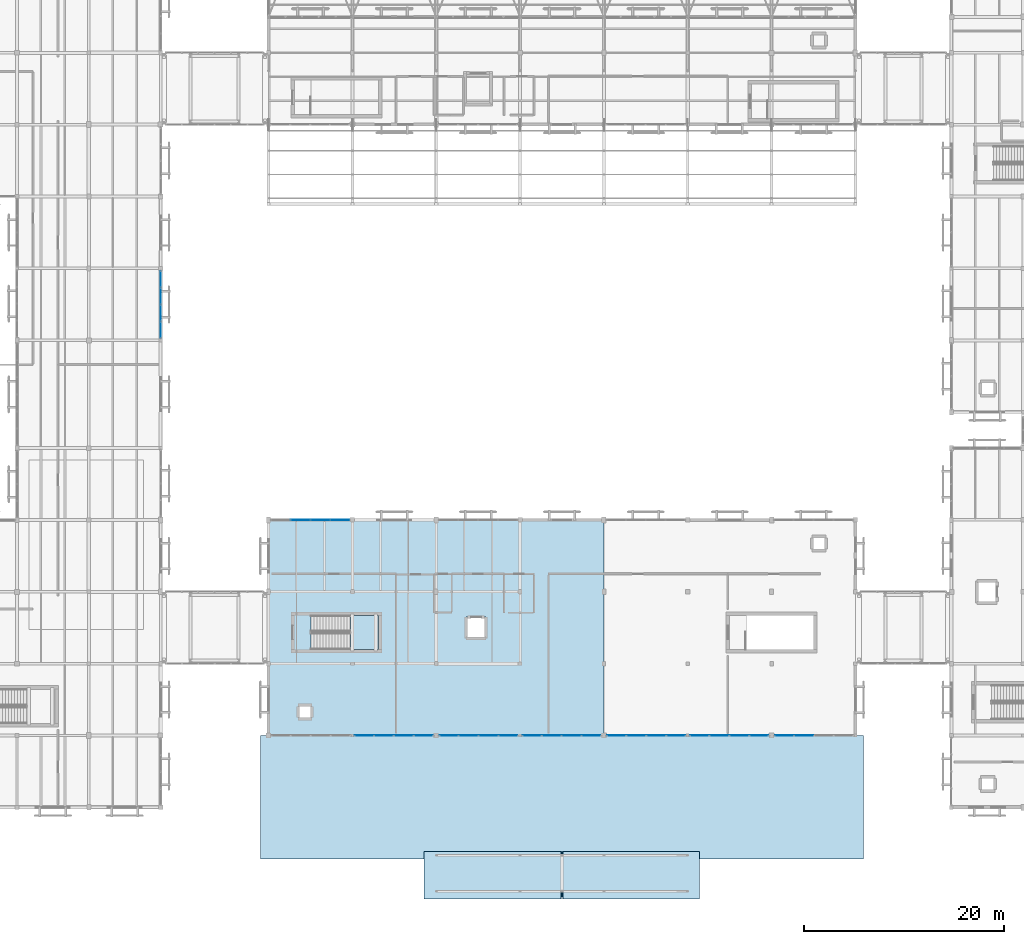
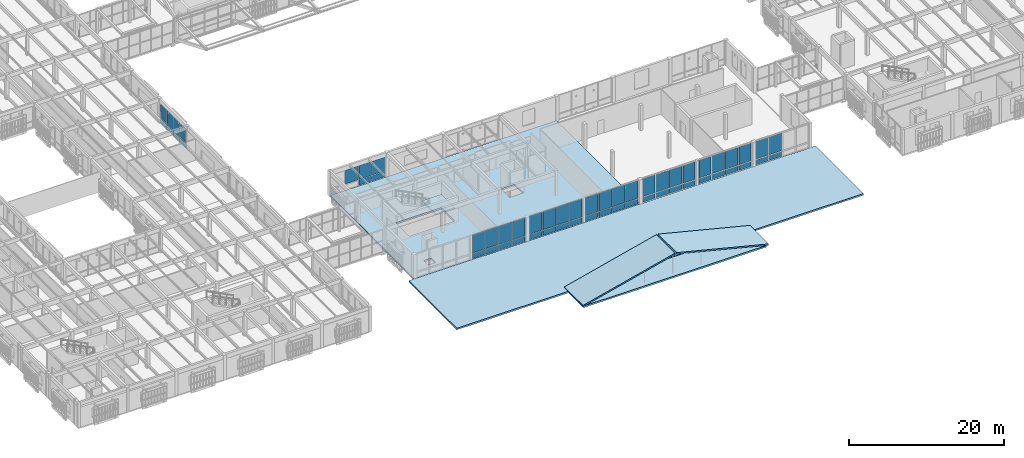
# One storey, part 165 of 217: 57 plates, 6 slabs, 9 elements without a shape of their own.
"""IFC4 building model written with IfcOpenShell, lengths in metres."""

from ifc_helpers import new_model, si_unit, direction, frame, origin, origin_2d, place, context, subcontext, project, spatial, polyline, rectangle, outline, extrude, material, layer, layer_set, type_object, element, aggregate, save


model = new_model("IFC4")

# Units and contexts
model_context = context("Model", 3, precision=1e-05, world=origin(), true_north=direction((0.0, 1.0)))
body_context = subcontext(model_context, "Body", "Model", "MODEL_VIEW")
ifc_project = project(units=[si_unit("LENGTHUNIT", "METRE"), si_unit("AREAUNIT", "SQUARE_METRE"), si_unit("VOLUMEUNIT", "CUBIC_METRE"), si_unit("PLANEANGLEUNIT", "RADIAN"), si_unit("MASSUNIT", "GRAM", prefix="KILO")], contexts=[model_context])

# Site, building, storey
site_placement = place(None, origin())
site = spatial("IfcSite", under=ifc_project, at=site_placement, CompositionType="ELEMENT")
building_placement = place(site_placement, origin())
building = spatial("IfcBuilding", under=site, at=building_placement, Name="Mazaris Harbour Polytechnic", CompositionType="ELEMENT")
storey_placement = place(building_placement, frame((0.0, 0.0, 9.60009765625)))
storey = spatial("IfcBuildingStorey", under=building, at=storey_placement, Name="L02", CompositionType="ELEMENT", Elevation=9.60009765625)

# Slab
ifc_material_1 = material(Name="Glulam GL28h and Concrete C30/37", Category="concrete")
ifc_layer_1 = layer(ifc_material_1, 0.280029296875, Name="Glulam GL28h and Concrete C30/37")
ifc_layer_set_1 = layer_set([ifc_layer_1], Name="Glulam GL28h and Concrete C30/37")
slab_type_1 = type_object("IfcSlabType", Name="CLT Composite Floor 280", PredefinedType="FLOOR", material=ifc_layer_set_1)
slab_1_placement = place(storey_placement, frame((0.0, 0.0, -0.280029296875)))
element("IfcSlab", 1, at=slab_1_placement, inside=storey, type_object=slab_type_1, Name="V3 L02 Floor Slab", PredefinedType="FLOOR", context=body_context, shape_type="SweptSolid", body=[
    extrude(outline(polyline([(54.0, 36.0), (87.60009765625, 36.0), (87.60009765625, 14.39990234375), (54.0, 14.39990234375), (54.0, 36.0)]), holes=[polyline([(58.27490234375, 26.449951171875), (58.27490234375, 23.0), (65.0, 23.0), (65.0, 26.449951171875), (58.27490234375, 26.449951171875)]), polyline([(75.800048828125, 24.10009765625), (75.800048828125, 26.300048828125), (73.800048828125, 26.300048828125), (73.800048828125, 24.10009765625), (75.800048828125, 24.10009765625)]), polyline([(57.10009765625, 16.199951171875), (58.219970703125, 16.199951171875), (58.219970703125, 17.320068359375), (57.10009765625, 17.320068359375), (57.10009765625, 16.199951171875)])]), origin(), (0.0, 0.0, 1.0), 0.280029296875),
])

# Curtain wall, plates
ifc_material_2 = material(Name="Anodised Bronze Aluminium and Low-E Glass", Category="aluminium")
ifc_layer_2 = layer(ifc_material_2, 0.179931640625, Name="Anodised Bronze Aluminium and Low-E Glass")
ifc_layer_set_2 = layer_set([ifc_layer_2], Name="Anodised Bronze Aluminium and Low-E Glass")
curtain_wall_type_1 = type_object("IfcCurtainWallType", Name="Harbour Colonnade Curtain Wall", PredefinedType="NOTDEFINED", material=ifc_layer_set_2)
curtain_wall_1_placement = place(storey_placement, origin())
curtain_wall_1 = element("IfcCurtainWall", 2, at=curtain_wall_1_placement, inside=storey, type_object=curtain_wall_type_1, Name="V3 L02 Curtain Wall 80", PredefinedType="NOTDEFINED")
ifc_material_3 = material(Name="Low-E Double Glazing", Category="glass")
ifc_layer_3 = layer(ifc_material_3, 0.028076171875, Name="Low-E Double Glazing")
ifc_layer_set_3 = layer_set([ifc_layer_3], Name="Low-E Double Glazing")
plate_type = type_object("IfcPlateType", Name="Low-E Vision Glass Panel 28", PredefinedType="CURTAIN_PANEL", material=ifc_layer_set_3)
plate_1_placement = place(storey_placement, frame((69.533447265625, 14.39990234375, 0.119873046875), z_axis=(0.0, 0.0, 1.0), x_axis=(-1.0, 0.0, 0.0)))
plate_1 = element("IfcPlate", 3, at=plate_1_placement, type_object=plate_type, Name="CW-01 panel 1.1", PredefinedType="CURTAIN_PANEL", context=body_context, shape_type="SweptSolid", body=[
    extrude(rectangle(XDim=1.84912109375, YDim=0.028076171875, at=origin_2d()), origin(), (0.0, 0.0, 1.0), 0.77001953125),
])
plate_2_placement = place(storey_placement, frame((69.533447265625, 14.39990234375, 1.009765625), z_axis=(0.0, 0.0, 1.0), x_axis=(-1.0, 0.0, 0.0)))
plate_2 = element("IfcPlate", 4, at=plate_2_placement, type_object=plate_type, Name="CW-01 panel 1.2", PredefinedType="CURTAIN_PANEL", context=body_context, shape_type="SweptSolid", body=[
    extrude(rectangle(XDim=1.84912109375, YDim=0.028076171875, at=origin_2d()), origin(), (0.0, 0.0, 1.0), 2.804931640625),
])
plate_3_placement = place(storey_placement, frame((67.5595703125, 14.39990234375, 0.119873046875), z_axis=(0.0, 0.0, 1.0), x_axis=(-1.0, 0.0, 0.0)))
plate_3 = element("IfcPlate", 5, at=plate_3_placement, type_object=plate_type, Name="CW-01 panel 2.1", PredefinedType="CURTAIN_PANEL", context=body_context, shape_type="SweptSolid", body=[
    extrude(rectangle(XDim=1.89892578125, YDim=0.028076171875, at=origin_2d()), origin(), (0.0, 0.0, 1.0), 0.77001953125),
])
plate_4_placement = place(storey_placement, frame((67.5595703125, 14.39990234375, 1.009765625), z_axis=(0.0, 0.0, 1.0), x_axis=(-1.0, 0.0, 0.0)))
plate_4 = element("IfcPlate", 6, at=plate_4_placement, type_object=plate_type, Name="CW-01 panel 2.2", PredefinedType="CURTAIN_PANEL", context=body_context, shape_type="SweptSolid", body=[
    extrude(rectangle(XDim=1.89892578125, YDim=0.028076171875, at=origin_2d()), origin(), (0.0, 0.0, 1.0), 2.804931640625),
])
plate_5_placement = place(storey_placement, frame((65.560546875, 14.39990234375, 0.119873046875), z_axis=(0.0, 0.0, 1.0), x_axis=(-1.0, 0.0, 0.0)))
plate_5 = element("IfcPlate", 7, at=plate_5_placement, type_object=plate_type, Name="CW-01 panel 3.1", PredefinedType="CURTAIN_PANEL", context=body_context, shape_type="SweptSolid", body=[
    extrude(rectangle(XDim=1.89892578125, YDim=0.028076171875, at=origin_2d()), origin(), (0.0, 0.0, 1.0), 0.77001953125),
])
plate_6_placement = place(storey_placement, frame((65.560546875, 14.39990234375, 1.009765625), z_axis=(0.0, 0.0, 1.0), x_axis=(-1.0, 0.0, 0.0)))
plate_6 = element("IfcPlate", 8, at=plate_6_placement, type_object=plate_type, Name="CW-01 panel 3.2", PredefinedType="CURTAIN_PANEL", context=body_context, shape_type="SweptSolid", body=[
    extrude(rectangle(XDim=1.89892578125, YDim=0.028076171875, at=origin_2d()), origin(), (0.0, 0.0, 1.0), 2.804931640625),
])
plate_7_placement = place(storey_placement, frame((63.58642578125, 14.39990234375, 0.119873046875), z_axis=(0.0, 0.0, 1.0), x_axis=(-1.0, 0.0, 0.0)))
plate_7 = element("IfcPlate", 9, at=plate_7_placement, type_object=plate_type, Name="CW-01 panel 4.1", PredefinedType="CURTAIN_PANEL", context=body_context, shape_type="SweptSolid", body=[
    extrude(rectangle(XDim=1.84912109375, YDim=0.028076171875, at=origin_2d()), origin(), (0.0, 0.0, 1.0), 0.77001953125),
])
plate_8_placement = place(storey_placement, frame((63.58642578125, 14.39990234375, 1.009765625), z_axis=(0.0, 0.0, 1.0), x_axis=(-1.0, 0.0, 0.0)))
plate_8 = element("IfcPlate", 10, at=plate_8_placement, type_object=plate_type, Name="CW-01 panel 4.2", PredefinedType="CURTAIN_PANEL", context=body_context, shape_type="SweptSolid", body=[
    extrude(rectangle(XDim=1.84912109375, YDim=0.028076171875, at=origin_2d()), origin(), (0.0, 0.0, 1.0), 2.804931640625),
])
aggregate(curtain_wall_1, [plate_1, plate_2, plate_3, plate_4, plate_5, plate_6, plate_7, plate_8])

curtain_wall_2_placement = place(storey_placement, origin())
curtain_wall_2 = element("IfcCurtainWall", 11, at=curtain_wall_2_placement, inside=storey, type_object=curtain_wall_type_1, Name="V3 L02 Curtain Wall 81", PredefinedType="NOTDEFINED")
plate_9_placement = place(storey_placement, frame((78.013427734375, 14.39990234375, 0.119873046875), z_axis=(0.0, 0.0, 1.0), x_axis=(-1.0, 0.0, 0.0)))
plate_9 = element("IfcPlate", 12, at=plate_9_placement, type_object=plate_type, Name="CW-01 panel 1.1", PredefinedType="CURTAIN_PANEL", context=body_context, shape_type="SweptSolid", body=[
    extrude(rectangle(XDim=1.84912109375, YDim=0.028076171875, at=origin_2d()), origin(), (0.0, 0.0, 1.0), 0.77001953125),
])
plate_10_placement = place(storey_placement, frame((78.013427734375, 14.39990234375, 1.009765625), z_axis=(0.0, 0.0, 1.0), x_axis=(-1.0, 0.0, 0.0)))
plate_10 = element("IfcPlate", 13, at=plate_10_placement, type_object=plate_type, Name="CW-01 panel 1.2", PredefinedType="CURTAIN_PANEL", context=body_context, shape_type="SweptSolid", body=[
    extrude(rectangle(XDim=1.84912109375, YDim=0.028076171875, at=origin_2d()), origin(), (0.0, 0.0, 1.0), 2.804931640625),
])
plate_11_placement = place(storey_placement, frame((76.03955078125, 14.39990234375, 0.119873046875), z_axis=(0.0, 0.0, 1.0), x_axis=(-1.0, 0.0, 0.0)))
plate_11 = element("IfcPlate", 14, at=plate_11_placement, type_object=plate_type, Name="CW-01 panel 2.1", PredefinedType="CURTAIN_PANEL", context=body_context, shape_type="SweptSolid", body=[
    extrude(rectangle(XDim=1.89892578125, YDim=0.028076171875, at=origin_2d()), origin(), (0.0, 0.0, 1.0), 0.77001953125),
])
plate_12_placement = place(storey_placement, frame((76.03955078125, 14.39990234375, 1.009765625), z_axis=(0.0, 0.0, 1.0), x_axis=(-1.0, 0.0, 0.0)))
plate_12 = element("IfcPlate", 15, at=plate_12_placement, type_object=plate_type, Name="CW-01 panel 2.2", PredefinedType="CURTAIN_PANEL", context=body_context, shape_type="SweptSolid", body=[
    extrude(rectangle(XDim=1.89892578125, YDim=0.028076171875, at=origin_2d()), origin(), (0.0, 0.0, 1.0), 2.804931640625),
])
plate_13_placement = place(storey_placement, frame((74.04052734375, 14.39990234375, 0.119873046875), z_axis=(0.0, 0.0, 1.0), x_axis=(-1.0, 0.0, 0.0)))
plate_13 = element("IfcPlate", 16, at=plate_13_placement, type_object=plate_type, Name="CW-01 panel 3.1", PredefinedType="CURTAIN_PANEL", context=body_context, shape_type="SweptSolid", body=[
    extrude(rectangle(XDim=1.89892578125, YDim=0.028076171875, at=origin_2d()), origin(), (0.0, 0.0, 1.0), 0.77001953125),
])
plate_14_placement = place(storey_placement, frame((74.04052734375, 14.39990234375, 1.009765625), z_axis=(0.0, 0.0, 1.0), x_axis=(-1.0, 0.0, 0.0)))
plate_14 = element("IfcPlate", 17, at=plate_14_placement, type_object=plate_type, Name="CW-01 panel 3.2", PredefinedType="CURTAIN_PANEL", context=body_context, shape_type="SweptSolid", body=[
    extrude(rectangle(XDim=1.89892578125, YDim=0.028076171875, at=origin_2d()), origin(), (0.0, 0.0, 1.0), 2.804931640625),
])
plate_15_placement = place(storey_placement, frame((72.06640625, 14.39990234375, 0.119873046875), z_axis=(0.0, 0.0, 1.0), x_axis=(-1.0, 0.0, 0.0)))
plate_15 = element("IfcPlate", 18, at=plate_15_placement, type_object=plate_type, Name="CW-01 panel 4.1", PredefinedType="CURTAIN_PANEL", context=body_context, shape_type="SweptSolid", body=[
    extrude(rectangle(XDim=1.84912109375, YDim=0.028076171875, at=origin_2d()), origin(), (0.0, 0.0, 1.0), 0.77001953125),
])
plate_16_placement = place(storey_placement, frame((72.06640625, 14.39990234375, 1.009765625), z_axis=(0.0, 0.0, 1.0), x_axis=(-1.0, 0.0, 0.0)))
plate_16 = element("IfcPlate", 19, at=plate_16_placement, type_object=plate_type, Name="CW-01 panel 4.2", PredefinedType="CURTAIN_PANEL", context=body_context, shape_type="SweptSolid", body=[
    extrude(rectangle(XDim=1.84912109375, YDim=0.028076171875, at=origin_2d()), origin(), (0.0, 0.0, 1.0), 2.804931640625),
])
aggregate(curtain_wall_2, [plate_9, plate_10, plate_11, plate_12, plate_13, plate_14, plate_15, plate_16])

curtain_wall_3_placement = place(storey_placement, origin())
curtain_wall_3 = element("IfcCurtainWall", 20, at=curtain_wall_3_placement, inside=storey, type_object=curtain_wall_type_1, Name="V3 L02 Curtain Wall 82", PredefinedType="NOTDEFINED")
plate_17_placement = place(storey_placement, frame((86.33349609375, 14.39990234375, 0.119873046875), z_axis=(0.0, 0.0, 1.0), x_axis=(-1.0, 0.0, 0.0)))
plate_17 = element("IfcPlate", 21, at=plate_17_placement, type_object=plate_type, Name="CW-01 panel 1.1", PredefinedType="CURTAIN_PANEL", context=body_context, shape_type="SweptSolid", body=[
    extrude(rectangle(XDim=1.84912109375, YDim=0.028076171875, at=origin_2d()), origin(), (0.0, 0.0, 1.0), 0.77001953125),
])
plate_18_placement = place(storey_placement, frame((86.33349609375, 14.39990234375, 1.009765625), z_axis=(0.0, 0.0, 1.0), x_axis=(-1.0, 0.0, 0.0)))
plate_18 = element("IfcPlate", 22, at=plate_18_placement, type_object=plate_type, Name="CW-01 panel 1.2", PredefinedType="CURTAIN_PANEL", context=body_context, shape_type="SweptSolid", body=[
    extrude(rectangle(XDim=1.84912109375, YDim=0.028076171875, at=origin_2d()), origin(), (0.0, 0.0, 1.0), 2.804931640625),
])
plate_19_placement = place(storey_placement, frame((84.359619140625, 14.39990234375, 0.119873046875), z_axis=(0.0, 0.0, 1.0), x_axis=(-1.0, 0.0, 0.0)))
plate_19 = element("IfcPlate", 23, at=plate_19_placement, type_object=plate_type, Name="CW-01 panel 2.1", PredefinedType="CURTAIN_PANEL", context=body_context, shape_type="SweptSolid", body=[
    extrude(rectangle(XDim=1.89892578125, YDim=0.028076171875, at=origin_2d()), origin(), (0.0, 0.0, 1.0), 0.77001953125),
])
plate_20_placement = place(storey_placement, frame((84.359619140625, 14.39990234375, 1.009765625), z_axis=(0.0, 0.0, 1.0), x_axis=(-1.0, 0.0, 0.0)))
plate_20 = element("IfcPlate", 24, at=plate_20_placement, type_object=plate_type, Name="CW-01 panel 2.2", PredefinedType="CURTAIN_PANEL", context=body_context, shape_type="SweptSolid", body=[
    extrude(rectangle(XDim=1.89892578125, YDim=0.028076171875, at=origin_2d()), origin(), (0.0, 0.0, 1.0), 2.804931640625),
])
plate_21_placement = place(storey_placement, frame((82.360595703125, 14.39990234375, 0.119873046875), z_axis=(0.0, 0.0, 1.0), x_axis=(-1.0, 0.0, 0.0)))
plate_21 = element("IfcPlate", 25, at=plate_21_placement, type_object=plate_type, Name="CW-01 panel 3.1", PredefinedType="CURTAIN_PANEL", context=body_context, shape_type="SweptSolid", body=[
    extrude(rectangle(XDim=1.89892578125, YDim=0.028076171875, at=origin_2d()), origin(), (0.0, 0.0, 1.0), 0.77001953125),
])
plate_22_placement = place(storey_placement, frame((82.360595703125, 14.39990234375, 1.009765625), z_axis=(0.0, 0.0, 1.0), x_axis=(-1.0, 0.0, 0.0)))
plate_22 = element("IfcPlate", 26, at=plate_22_placement, type_object=plate_type, Name="CW-01 panel 3.2", PredefinedType="CURTAIN_PANEL", context=body_context, shape_type="SweptSolid", body=[
    extrude(rectangle(XDim=1.89892578125, YDim=0.028076171875, at=origin_2d()), origin(), (0.0, 0.0, 1.0), 2.804931640625),
])
plate_23_placement = place(storey_placement, frame((80.386474609375, 14.39990234375, 0.119873046875), z_axis=(0.0, 0.0, 1.0), x_axis=(-1.0, 0.0, 0.0)))
plate_23 = element("IfcPlate", 27, at=plate_23_placement, type_object=plate_type, Name="CW-01 panel 4.1", PredefinedType="CURTAIN_PANEL", context=body_context, shape_type="SweptSolid", body=[
    extrude(rectangle(XDim=1.84912109375, YDim=0.028076171875, at=origin_2d()), origin(), (0.0, 0.0, 1.0), 0.77001953125),
])
plate_24_placement = place(storey_placement, frame((80.386474609375, 14.39990234375, 1.009765625), z_axis=(0.0, 0.0, 1.0), x_axis=(-1.0, 0.0, 0.0)))
plate_24 = element("IfcPlate", 28, at=plate_24_placement, type_object=plate_type, Name="CW-01 panel 4.2", PredefinedType="CURTAIN_PANEL", context=body_context, shape_type="SweptSolid", body=[
    extrude(rectangle(XDim=1.84912109375, YDim=0.028076171875, at=origin_2d()), origin(), (0.0, 0.0, 1.0), 2.804931640625),
])
aggregate(curtain_wall_3, [plate_17, plate_18, plate_19, plate_20, plate_21, plate_22, plate_23, plate_24])

curtain_wall_4_placement = place(storey_placement, origin())
curtain_wall_4 = element("IfcCurtainWall", 29, at=curtain_wall_4_placement, inside=storey, type_object=curtain_wall_type_1, Name="V3 L02 Curtain Wall 83", PredefinedType="NOTDEFINED")
plate_25_placement = place(storey_placement, frame((94.8134765625, 14.39990234375, 0.119873046875), z_axis=(0.0, 0.0, 1.0), x_axis=(-1.0, 0.0, 0.0)))
plate_25 = element("IfcPlate", 30, at=plate_25_placement, type_object=plate_type, Name="CW-01 panel 1.1", PredefinedType="CURTAIN_PANEL", context=body_context, shape_type="SweptSolid", body=[
    extrude(rectangle(XDim=1.84912109375, YDim=0.028076171875, at=origin_2d()), origin(), (0.0, 0.0, 1.0), 0.77001953125),
])
plate_26_placement = place(storey_placement, frame((94.8134765625, 14.39990234375, 1.009765625), z_axis=(0.0, 0.0, 1.0), x_axis=(-1.0, 0.0, 0.0)))
plate_26 = element("IfcPlate", 31, at=plate_26_placement, type_object=plate_type, Name="CW-01 panel 1.2", PredefinedType="CURTAIN_PANEL", context=body_context, shape_type="SweptSolid", body=[
    extrude(rectangle(XDim=1.84912109375, YDim=0.028076171875, at=origin_2d()), origin(), (0.0, 0.0, 1.0), 2.804931640625),
])
plate_27_placement = place(storey_placement, frame((92.839599609375, 14.39990234375, 0.119873046875), z_axis=(0.0, 0.0, 1.0), x_axis=(-1.0, 0.0, 0.0)))
plate_27 = element("IfcPlate", 32, at=plate_27_placement, type_object=plate_type, Name="CW-01 panel 2.1", PredefinedType="CURTAIN_PANEL", context=body_context, shape_type="SweptSolid", body=[
    extrude(rectangle(XDim=1.89892578125, YDim=0.028076171875, at=origin_2d()), origin(), (0.0, 0.0, 1.0), 0.77001953125),
])
plate_28_placement = place(storey_placement, frame((92.839599609375, 14.39990234375, 1.009765625), z_axis=(0.0, 0.0, 1.0), x_axis=(-1.0, 0.0, 0.0)))
plate_28 = element("IfcPlate", 33, at=plate_28_placement, type_object=plate_type, Name="CW-01 panel 2.2", PredefinedType="CURTAIN_PANEL", context=body_context, shape_type="SweptSolid", body=[
    extrude(rectangle(XDim=1.89892578125, YDim=0.028076171875, at=origin_2d()), origin(), (0.0, 0.0, 1.0), 2.804931640625),
])
plate_29_placement = place(storey_placement, frame((90.840576171875, 14.39990234375, 0.119873046875), z_axis=(0.0, 0.0, 1.0), x_axis=(-1.0, 0.0, 0.0)))
plate_29 = element("IfcPlate", 34, at=plate_29_placement, type_object=plate_type, Name="CW-01 panel 3.1", PredefinedType="CURTAIN_PANEL", context=body_context, shape_type="SweptSolid", body=[
    extrude(rectangle(XDim=1.89892578125, YDim=0.028076171875, at=origin_2d()), origin(), (0.0, 0.0, 1.0), 0.77001953125),
])
plate_30_placement = place(storey_placement, frame((90.840576171875, 14.39990234375, 1.009765625), z_axis=(0.0, 0.0, 1.0), x_axis=(-1.0, 0.0, 0.0)))
plate_30 = element("IfcPlate", 35, at=plate_30_placement, type_object=plate_type, Name="CW-01 panel 3.2", PredefinedType="CURTAIN_PANEL", context=body_context, shape_type="SweptSolid", body=[
    extrude(rectangle(XDim=1.89892578125, YDim=0.028076171875, at=origin_2d()), origin(), (0.0, 0.0, 1.0), 2.804931640625),
])
plate_31_placement = place(storey_placement, frame((88.866455078125, 14.39990234375, 0.119873046875), z_axis=(0.0, 0.0, 1.0), x_axis=(-1.0, 0.0, 0.0)))
plate_31 = element("IfcPlate", 36, at=plate_31_placement, type_object=plate_type, Name="CW-01 panel 4.1", PredefinedType="CURTAIN_PANEL", context=body_context, shape_type="SweptSolid", body=[
    extrude(rectangle(XDim=1.84912109375, YDim=0.028076171875, at=origin_2d()), origin(), (0.0, 0.0, 1.0), 0.77001953125),
])
plate_32_placement = place(storey_placement, frame((88.866455078125, 14.39990234375, 1.009765625), z_axis=(0.0, 0.0, 1.0), x_axis=(-1.0, 0.0, 0.0)))
plate_32 = element("IfcPlate", 37, at=plate_32_placement, type_object=plate_type, Name="CW-01 panel 4.2", PredefinedType="CURTAIN_PANEL", context=body_context, shape_type="SweptSolid", body=[
    extrude(rectangle(XDim=1.84912109375, YDim=0.028076171875, at=origin_2d()), origin(), (0.0, 0.0, 1.0), 2.804931640625),
])
aggregate(curtain_wall_4, [plate_25, plate_26, plate_27, plate_28, plate_29, plate_30, plate_31, plate_32])

curtain_wall_5_placement = place(storey_placement, origin())
curtain_wall_5 = element("IfcCurtainWall", 38, at=curtain_wall_5_placement, inside=storey, type_object=curtain_wall_type_1, Name="V3 L02 Curtain Wall 84", PredefinedType="NOTDEFINED")
plate_33_placement = place(storey_placement, frame((103.133544921875, 14.39990234375, 0.119873046875), z_axis=(0.0, 0.0, 1.0), x_axis=(-1.0, 0.0, 0.0)))
plate_33 = element("IfcPlate", 39, at=plate_33_placement, type_object=plate_type, Name="CW-01 panel 1.1", PredefinedType="CURTAIN_PANEL", context=body_context, shape_type="SweptSolid", body=[
    extrude(rectangle(XDim=1.84912109375, YDim=0.028076171875, at=origin_2d()), origin(), (0.0, 0.0, 1.0), 0.77001953125),
])
plate_34_placement = place(storey_placement, frame((103.133544921875, 14.39990234375, 1.009765625), z_axis=(0.0, 0.0, 1.0), x_axis=(-1.0, 0.0, 0.0)))
plate_34 = element("IfcPlate", 40, at=plate_34_placement, type_object=plate_type, Name="CW-01 panel 1.2", PredefinedType="CURTAIN_PANEL", context=body_context, shape_type="SweptSolid", body=[
    extrude(rectangle(XDim=1.84912109375, YDim=0.028076171875, at=origin_2d()), origin(), (0.0, 0.0, 1.0), 2.804931640625),
])
plate_35_placement = place(storey_placement, frame((101.159423828125, 14.39990234375, 0.119873046875), z_axis=(0.0, 0.0, 1.0), x_axis=(-1.0, 0.0, 0.0)))
plate_35 = element("IfcPlate", 41, at=plate_35_placement, type_object=plate_type, Name="CW-01 panel 2.1", PredefinedType="CURTAIN_PANEL", context=body_context, shape_type="SweptSolid", body=[
    extrude(rectangle(XDim=1.89892578125, YDim=0.028076171875, at=origin_2d()), origin(), (0.0, 0.0, 1.0), 0.77001953125),
])
plate_36_placement = place(storey_placement, frame((101.159423828125, 14.39990234375, 1.009765625), z_axis=(0.0, 0.0, 1.0), x_axis=(-1.0, 0.0, 0.0)))
plate_36 = element("IfcPlate", 42, at=plate_36_placement, type_object=plate_type, Name="CW-01 panel 2.2", PredefinedType="CURTAIN_PANEL", context=body_context, shape_type="SweptSolid", body=[
    extrude(rectangle(XDim=1.89892578125, YDim=0.028076171875, at=origin_2d()), origin(), (0.0, 0.0, 1.0), 2.804931640625),
])
plate_37_placement = place(storey_placement, frame((99.160400390625, 14.39990234375, 0.119873046875), z_axis=(0.0, 0.0, 1.0), x_axis=(-1.0, 0.0, 0.0)))
plate_37 = element("IfcPlate", 43, at=plate_37_placement, type_object=plate_type, Name="CW-01 panel 3.1", PredefinedType="CURTAIN_PANEL", context=body_context, shape_type="SweptSolid", body=[
    extrude(rectangle(XDim=1.89892578125, YDim=0.028076171875, at=origin_2d()), origin(), (0.0, 0.0, 1.0), 0.77001953125),
])
plate_38_placement = place(storey_placement, frame((99.160400390625, 14.39990234375, 1.009765625), z_axis=(0.0, 0.0, 1.0), x_axis=(-1.0, 0.0, 0.0)))
plate_38 = element("IfcPlate", 44, at=plate_38_placement, type_object=plate_type, Name="CW-01 panel 3.2", PredefinedType="CURTAIN_PANEL", context=body_context, shape_type="SweptSolid", body=[
    extrude(rectangle(XDim=1.89892578125, YDim=0.028076171875, at=origin_2d()), origin(), (0.0, 0.0, 1.0), 2.804931640625),
])
plate_39_placement = place(storey_placement, frame((97.1865234375, 14.39990234375, 0.119873046875), z_axis=(0.0, 0.0, 1.0), x_axis=(-1.0, 0.0, 0.0)))
plate_39 = element("IfcPlate", 45, at=plate_39_placement, type_object=plate_type, Name="CW-01 panel 4.1", PredefinedType="CURTAIN_PANEL", context=body_context, shape_type="SweptSolid", body=[
    extrude(rectangle(XDim=1.84912109375, YDim=0.028076171875, at=origin_2d()), origin(), (0.0, 0.0, 1.0), 0.77001953125),
])
plate_40_placement = place(storey_placement, frame((97.1865234375, 14.39990234375, 1.009765625), z_axis=(0.0, 0.0, 1.0), x_axis=(-1.0, 0.0, 0.0)))
plate_40 = element("IfcPlate", 46, at=plate_40_placement, type_object=plate_type, Name="CW-01 panel 4.2", PredefinedType="CURTAIN_PANEL", context=body_context, shape_type="SweptSolid", body=[
    extrude(rectangle(XDim=1.84912109375, YDim=0.028076171875, at=origin_2d()), origin(), (0.0, 0.0, 1.0), 2.804931640625),
])
aggregate(curtain_wall_5, [plate_33, plate_34, plate_35, plate_36, plate_37, plate_38, plate_39, plate_40])

curtain_wall_6_placement = place(storey_placement, origin())
curtain_wall_6 = element("IfcCurtainWall", 47, at=curtain_wall_6_placement, inside=storey, type_object=curtain_wall_type_1, Name="V3 L02 Curtain Wall 85", PredefinedType="NOTDEFINED")
plate_41_placement = place(storey_placement, frame((107.640380859375, 14.39990234375, 0.119873046875), z_axis=(0.0, 0.0, 1.0), x_axis=(-1.0, 0.0, 0.0)))
plate_41 = element("IfcPlate", 48, at=plate_41_placement, type_object=plate_type, Name="CW-01 panel 3.1", PredefinedType="CURTAIN_PANEL", context=body_context, shape_type="SweptSolid", body=[
    extrude(rectangle(XDim=1.89892578125, YDim=0.028076171875, at=origin_2d()), origin(), (0.0, 0.0, 1.0), 0.77001953125),
])
plate_42_placement = place(storey_placement, frame((107.640380859375, 14.39990234375, 1.009765625), z_axis=(0.0, 0.0, 1.0), x_axis=(-1.0, 0.0, 0.0)))
plate_42 = element("IfcPlate", 49, at=plate_42_placement, type_object=plate_type, Name="CW-01 panel 3.2", PredefinedType="CURTAIN_PANEL", context=body_context, shape_type="SweptSolid", body=[
    extrude(rectangle(XDim=1.89892578125, YDim=0.028076171875, at=origin_2d()), origin(), (0.0, 0.0, 1.0), 2.804931640625),
])
plate_43_placement = place(storey_placement, frame((105.66650390625, 14.39990234375, 0.119873046875), z_axis=(0.0, 0.0, 1.0), x_axis=(-1.0, 0.0, 0.0)))
plate_43 = element("IfcPlate", 50, at=plate_43_placement, type_object=plate_type, Name="CW-01 panel 4.1", PredefinedType="CURTAIN_PANEL", context=body_context, shape_type="SweptSolid", body=[
    extrude(rectangle(XDim=1.84912109375, YDim=0.028076171875, at=origin_2d()), origin(), (0.0, 0.0, 1.0), 0.77001953125),
])
plate_44_placement = place(storey_placement, frame((105.66650390625, 14.39990234375, 1.009765625), z_axis=(0.0, 0.0, 1.0), x_axis=(-1.0, 0.0, 0.0)))
plate_44 = element("IfcPlate", 51, at=plate_44_placement, type_object=plate_type, Name="CW-01 panel 4.2", PredefinedType="CURTAIN_PANEL", context=body_context, shape_type="SweptSolid", body=[
    extrude(rectangle(XDim=1.84912109375, YDim=0.028076171875, at=origin_2d()), origin(), (0.0, 0.0, 1.0), 2.804931640625),
])
aggregate(curtain_wall_6, [plate_41, plate_42, plate_43, plate_44])

ifc_material_4 = material(Name="Anodised Bronze Aluminium and Low-E Glass", Category="aluminium")
ifc_layer_4 = layer(ifc_material_4, 0.159912109375, Name="Anodised Bronze Aluminium and Low-E Glass")
ifc_layer_set_4 = layer_set([ifc_layer_4], Name="Anodised Bronze Aluminium and Low-E Glass")
curtain_wall_type_2 = type_object("IfcCurtainWallType", Name="Cloister Court Curtain Wall", PredefinedType="NOTDEFINED", material=ifc_layer_set_4)
curtain_wall_7_placement = place(storey_placement, origin())
curtain_wall_7 = element("IfcCurtainWall", 52, at=curtain_wall_7_placement, inside=storey, type_object=curtain_wall_type_2, Name="V3 L02 Curtain Wall 86", PredefinedType="NOTDEFINED")
plate_45_placement = place(storey_placement, frame((57.19921875, 36.0, 0.98974609375), z_axis=(0.0, 0.0, 1.0), x_axis=(1.0, 0.0, 0.0)))
plate_45 = element("IfcPlate", 53, at=plate_45_placement, type_object=plate_type, Name="CW-02 panel 2.2", PredefinedType="CURTAIN_PANEL", context=body_context, shape_type="SweptSolid", body=[
    extrude(rectangle(XDim=1.91162109375, YDim=0.028076171875, at=origin_2d()), origin(), (0.0, 0.0, 1.0), 2.175048828125),
])
plate_46_placement = place(storey_placement, frame((59.190673828125, 36.0, 0.079833984375), z_axis=(0.0, 0.0, 1.0), x_axis=(1.0, 0.0, 0.0)))
plate_46 = element("IfcPlate", 54, at=plate_46_placement, type_object=plate_type, Name="CW-02 panel 3.1", PredefinedType="CURTAIN_PANEL", context=body_context, shape_type="SweptSolid", body=[
    extrude(rectangle(XDim=1.91162109375, YDim=0.028076171875, at=origin_2d()), origin(), (0.0, 0.0, 1.0), 0.830078125),
])
plate_47_placement = place(storey_placement, frame((59.190673828125, 36.0, 0.98974609375), z_axis=(0.0, 0.0, 1.0), x_axis=(1.0, 0.0, 0.0)))
plate_47 = element("IfcPlate", 55, at=plate_47_placement, type_object=plate_type, Name="CW-02 panel 3.2", PredefinedType="CURTAIN_PANEL", context=body_context, shape_type="SweptSolid", body=[
    extrude(rectangle(XDim=1.91162109375, YDim=0.028076171875, at=origin_2d()), origin(), (0.0, 0.0, 1.0), 2.175048828125),
])
plate_48_placement = place(storey_placement, frame((61.162353515625, 36.0, 0.079833984375), z_axis=(0.0, 0.0, 1.0), x_axis=(1.0, 0.0, 0.0)))
plate_48 = element("IfcPlate", 56, at=plate_48_placement, type_object=plate_type, Name="CW-02 panel 4.1", PredefinedType="CURTAIN_PANEL", context=body_context, shape_type="SweptSolid", body=[
    extrude(rectangle(XDim=1.87158203125, YDim=0.028076171875, at=origin_2d()), origin(), (0.0, 0.0, 1.0), 0.830078125),
])
plate_49_placement = place(storey_placement, frame((61.162353515625, 36.0, 0.98974609375), z_axis=(0.0, 0.0, 1.0), x_axis=(1.0, 0.0, 0.0)))
plate_49 = element("IfcPlate", 57, at=plate_49_placement, type_object=plate_type, Name="CW-02 panel 4.2", PredefinedType="CURTAIN_PANEL", context=body_context, shape_type="SweptSolid", body=[
    extrude(rectangle(XDim=1.87158203125, YDim=0.028076171875, at=origin_2d()), origin(), (0.0, 0.0, 1.0), 2.175048828125),
])
aggregate(curtain_wall_7, [plate_45, plate_46, plate_47, plate_48, plate_49])

curtain_wall_8_placement = place(storey_placement, origin())
curtain_wall_8 = element("IfcCurtainWall", 58, at=curtain_wall_8_placement, inside=storey, type_object=curtain_wall_type_2, Name="V4 L02 Curtain Wall 130", PredefinedType="NOTDEFINED")
plate_50_placement = place(storey_placement, frame((43.199951171875, 60.1259765625, 0.079833984375), z_axis=(0.0, 0.0, 1.0), x_axis=(0.0, -1.0, 0.0)))
plate_50 = element("IfcPlate", 59, at=plate_50_placement, type_object=plate_type, Name="CW-02 panel 1.1", PredefinedType="CURTAIN_PANEL", context=body_context, shape_type="SweptSolid", body=[
    extrude(rectangle(XDim=1.583984375, YDim=0.028076171875, at=origin_2d()), origin(), (0.0, 0.0, 1.0), 0.830078125),
])
plate_51_placement = place(storey_placement, frame((43.199951171875, 60.1259765625, 0.98974609375), z_axis=(0.0, 0.0, 1.0), x_axis=(0.0, -1.0, 0.0)))
plate_51 = element("IfcPlate", 60, at=plate_51_placement, type_object=plate_type, Name="CW-02 panel 1.2", PredefinedType="CURTAIN_PANEL", context=body_context, shape_type="SweptSolid", body=[
    extrude(rectangle(XDim=1.583984375, YDim=0.028076171875, at=origin_2d()), origin(), (0.0, 0.0, 1.0), 2.070068359375),
])
plate_52_placement = place(storey_placement, frame((43.199951171875, 58.44189453125, 0.079833984375), z_axis=(0.0, 0.0, 1.0), x_axis=(0.0, -1.0, 0.0)))
plate_52 = element("IfcPlate", 61, at=plate_52_placement, type_object=plate_type, Name="CW-02 panel 2.1", PredefinedType="CURTAIN_PANEL", context=body_context, shape_type="SweptSolid", body=[
    extrude(rectangle(XDim=1.6240234375, YDim=0.028076171875, at=origin_2d()), origin(), (0.0, 0.0, 1.0), 0.830078125),
])
plate_53_placement = place(storey_placement, frame((43.199951171875, 58.44189453125, 0.98974609375), z_axis=(0.0, 0.0, 1.0), x_axis=(0.0, -1.0, 0.0)))
plate_53 = element("IfcPlate", 62, at=plate_53_placement, type_object=plate_type, Name="CW-02 panel 2.2", PredefinedType="CURTAIN_PANEL", context=body_context, shape_type="SweptSolid", body=[
    extrude(rectangle(XDim=1.6240234375, YDim=0.028076171875, at=origin_2d()), origin(), (0.0, 0.0, 1.0), 2.070068359375),
])
plate_54_placement = place(storey_placement, frame((43.199951171875, 56.738037109375, 0.079833984375), z_axis=(0.0, 0.0, 1.0), x_axis=(0.0, -1.0, 0.0)))
plate_54 = element("IfcPlate", 63, at=plate_54_placement, type_object=plate_type, Name="CW-02 panel 3.1", PredefinedType="CURTAIN_PANEL", context=body_context, shape_type="SweptSolid", body=[
    extrude(rectangle(XDim=1.6240234375, YDim=0.028076171875, at=origin_2d()), origin(), (0.0, 0.0, 1.0), 0.830078125),
])
plate_55_placement = place(storey_placement, frame((43.199951171875, 56.738037109375, 0.98974609375), z_axis=(0.0, 0.0, 1.0), x_axis=(0.0, -1.0, 0.0)))
plate_55 = element("IfcPlate", 64, at=plate_55_placement, type_object=plate_type, Name="CW-02 panel 3.2", PredefinedType="CURTAIN_PANEL", context=body_context, shape_type="SweptSolid", body=[
    extrude(rectangle(XDim=1.6240234375, YDim=0.028076171875, at=origin_2d()), origin(), (0.0, 0.0, 1.0), 2.070068359375),
])
plate_56_placement = place(storey_placement, frame((43.199951171875, 55.053955078125, 0.079833984375), z_axis=(0.0, 0.0, 1.0), x_axis=(0.0, -1.0, 0.0)))
plate_56 = element("IfcPlate", 65, at=plate_56_placement, type_object=plate_type, Name="CW-02 panel 4.1", PredefinedType="CURTAIN_PANEL", context=body_context, shape_type="SweptSolid", body=[
    extrude(rectangle(XDim=1.583984375, YDim=0.028076171875, at=origin_2d()), origin(), (0.0, 0.0, 1.0), 0.830078125),
])
plate_57_placement = place(storey_placement, frame((43.199951171875, 55.053955078125, 0.98974609375), z_axis=(0.0, 0.0, 1.0), x_axis=(0.0, -1.0, 0.0)))
plate_57 = element("IfcPlate", 66, at=plate_57_placement, type_object=plate_type, Name="CW-02 panel 4.2", PredefinedType="CURTAIN_PANEL", context=body_context, shape_type="SweptSolid", body=[
    extrude(rectangle(XDim=1.583984375, YDim=0.028076171875, at=origin_2d()), origin(), (0.0, 0.0, 1.0), 2.070068359375),
])
aggregate(curtain_wall_8, [plate_50, plate_51, plate_52, plate_53, plate_54, plate_55, plate_56, plate_57])

# Slabs
ifc_material_5 = material(Name="Glulam GL28h", Category="wood")
ifc_layer_5 = layer(ifc_material_5, 0.205078125, Name="Glulam GL28h")
ifc_layer_set_5 = layer_set([ifc_layer_5], Name="Glulam GL28h")
slab_type_2 = type_object("IfcSlabType", Name="Pavilion Pitched Roof Deck 205", PredefinedType="ROOF", material=ifc_layer_set_5)
for number, where, z_axis, x_axis, name in (
    (67, (69.60009765625, -2.0, 0.2998046875), (-0.242547846464, 0.0, 0.970139444707), (0.0, 1.0, 0.0), "Harbour Portico Classical Pediment West Slope"),
    (68, (83.52001953125, -2.0, 3.719970703125), (0.242547846464, 0.0, 0.970139444707), (0.0, 1.0, 0.0), "Harbour Portico Classical Pediment East Slope"),
):
    element("IfcSlab", number, at=place(storey_placement, frame(where, z_axis=z_axis, x_axis=x_axis)), inside=storey, type_object=slab_type_2, Name=name, PredefinedType="ROOF", context=body_context, shape_type="SweptSolid", body=[
        extrude(outline(polyline([(0.0, 0.0), (4.800048828125, 0.0), (4.800048828125, -14.100995187099707), (0.0, -14.100995187099707), (0.0, 0.0)])), origin(), (0.0, 0.0, -1.0), 0.205078125),
    ])
ifc_material_6 = material(Name="Concrete C35/45", Category="concrete")
ifc_layer_6 = layer(ifc_material_6, 0.2548828125, Name="Concrete C35/45")
ifc_layer_set_6 = layer_set([ifc_layer_6], Name="Concrete C35/45")
slab_type_3 = type_object("IfcSlabType", Name="Portico Limestone Roof Slab 255", PredefinedType="ROOF", material=ifc_layer_set_6)
slab_2_placement = place(storey_placement, frame((0.0, 0.0, -0.255126953125)))
element("IfcSlab", 69, at=slab_2_placement, inside=storey, type_object=slab_type_3, Name="Harbour Entrance Portico Canopy Roof", PredefinedType="ROOF", context=body_context, shape_type="SweptSolid", body=[
    extrude(outline(polyline([(97.0, -1.800048828125), (97.0, 2.0), (69.800048828125, 2.0), (69.800048828125, -1.800048828125), (97.0, -1.800048828125)])), origin(), (0.0, 0.0, 1.0), 0.255126953125),
])
slab_3_placement = place(storey_placement, frame((0.0, 0.0, -0.255126953125)))
element("IfcSlab", 70, at=slab_3_placement, inside=storey, type_object=slab_type_3, Name="V3 Harbour Colonnade Terrace Roof", PredefinedType="ROOF", context=body_context, shape_type="SweptSolid", body=[
    extrude(outline(polyline([(113.60009765625, 2.050048828125), (113.60009765625, 14.39990234375), (53.199951171875, 14.39990234375), (53.199951171875, 2.050048828125), (113.60009765625, 2.050048828125)])), origin(), (0.0, 0.0, 1.0), 0.255126953125),
])

# Stair, slab
ifc_material_7 = material(Name="Concrete C40/50", Category="concrete")
stair_type = type_object("IfcStairType", Name="Core Exit Stair H4200", PredefinedType="HALF_TURN_STAIR", material=ifc_material_7)
stair_placement = place(storey_placement, origin())
stair = element("IfcStair", 71, at=stair_placement, inside=storey, type_object=stair_type, Name="L02 ST05", PredefinedType="HALF_TURN_STAIR")
ifc_material_8 = material(Name="Concrete C40/50", Category="concrete")
ifc_layer_7 = layer(ifc_material_8, 0.199951171875, Name="Concrete C40/50")
ifc_layer_set_7 = layer_set([ifc_layer_7], Name="Concrete C40/50")
slab_type_4 = type_object("IfcSlabType", Name="RC Stair Landing 200", PredefinedType="LANDING", material=ifc_layer_set_7)
slab_4_placement = place(storey_placement, frame((0.0, 0.0, 1.89990234375)))
slab_4 = element("IfcSlab", 72, at=slab_4_placement, type_object=slab_type_4, Name="ST05 landing 1", PredefinedType="LANDING", context=body_context, shape_type="SweptSolid", body=[
    extrude(outline(polyline([(62.14990234375, 23.0), (65.0, 23.0), (65.0, 26.449951171875), (62.14990234375, 26.449951171875), (62.14990234375, 23.0)])), origin(), (0.0, 0.0, 1.0), 0.199951171875),
])
aggregate(stair, [slab_4])

save(model, "model.ifc")
